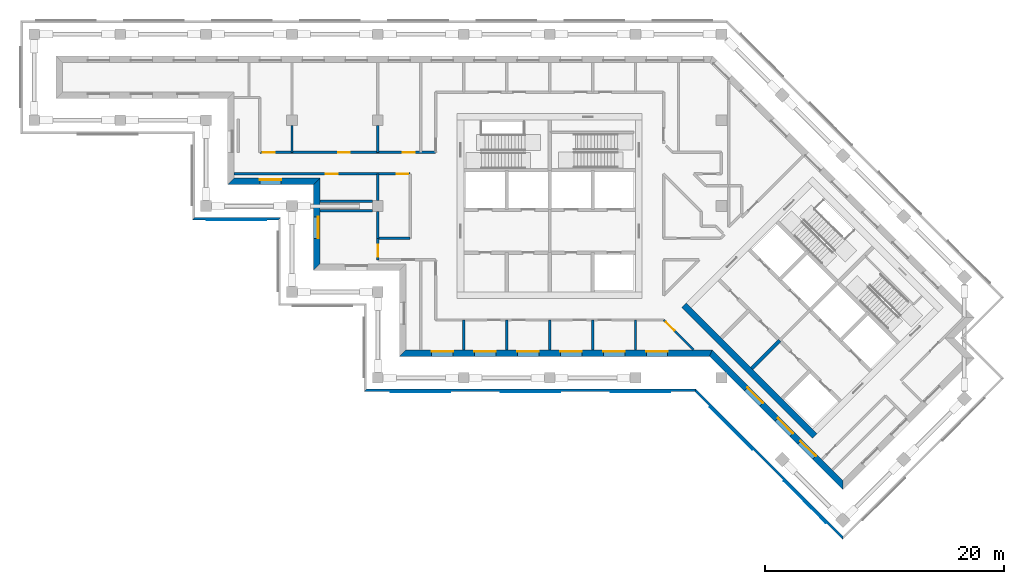
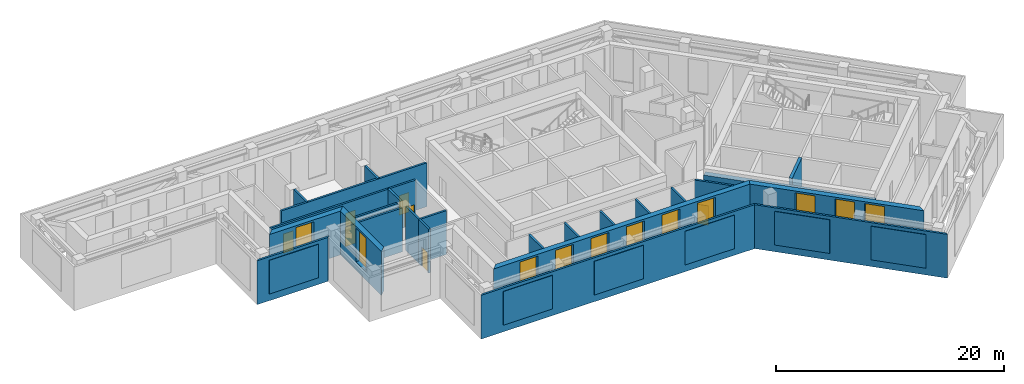
# One storey, part 3 of 10: 25 walls, 11 windows, 7 doors, 6 plates, 18 openings.
"""IFC4 building model written with IfcOpenShell, lengths in metres."""

from ifc_helpers import new_model, si_unit, direction, frame, frame_2d, origin, place, context, subcontext, project, spatial, polyline, rectangle, outline, extrude, material, layer, layer_set, type_object, element, fill, aggregate, save


model = new_model("IFC4")

# Units and contexts
model_context = context("Model", 3, precision=1e-05, world=origin(), true_north=direction((0.0, 1.0)))
body_context = subcontext(model_context, "Body", "Model", "MODEL_VIEW")
ifc_project = project(units=[si_unit("LENGTHUNIT", "METRE"), si_unit("AREAUNIT", "SQUARE_METRE"), si_unit("VOLUMEUNIT", "CUBIC_METRE"), si_unit("PLANEANGLEUNIT", "RADIAN"), si_unit("MASSUNIT", "GRAM", prefix="KILO")], contexts=[model_context])

# Plate
ifc_material_1 = material(Name="Aluminium louvre", Category="aluminium")
ifc_layer_1 = layer(ifc_material_1, 0.05)
ifc_layer_set_1 = layer_set([ifc_layer_1], Name="Belt louvre panel 5000x3600")
plate_type = type_object("IfcPlateType", Name="Belt louvre panel 5000x3600", PredefinedType="SHEET", material=ifc_layer_set_1)
site_placement = place(None, origin())
building_placement = place(site_placement, origin())
storey_placement = place(building_placement, frame((0.0, 0.0, 180.4)))
plate_1_placement = place(storey_placement, frame((36.05, 56.4, 0.75), z_axis=(0.0, -1.0, 0.0), x_axis=(1.0, 0.0, 0.0)))
plate_1 = element("IfcPlate", 1, at=plate_1_placement, type_object=plate_type, Name="Belt louvre panel L49 47.1", PredefinedType="SHEET", context=body_context, shape_type="SweptSolid", body=[
    extrude(outline(polyline([(0.0, 0.0), (5.0, 0.0), (5.0, 3.6), (0.0, 3.6), (0.0, 0.0)])), origin(), (0.0, 0.0, -1.0), 0.05),
])

plate_2_placement = place(storey_placement, frame((51.4613, 42.0, 0.75), z_axis=(0.0, -1.0, 0.0), x_axis=(1.0, 0.0, 0.0)))
plate_2 = element("IfcPlate", 2, at=plate_2_placement, type_object=plate_type, Name="Belt louvre panel L49 65.1", PredefinedType="SHEET", context=body_context, shape_type="SweptSolid", body=[
    extrude(outline(polyline([(0.0, 0.0), (5.0, 0.0), (5.0, 3.6), (0.0, 3.6), (0.0, 0.0)])), origin(), (0.0, 0.0, -1.0), 0.05),
])

plate_3_placement = place(storey_placement, frame((60.684, 42.0, 0.75), z_axis=(0.0, -1.0, 0.0), x_axis=(1.0, 0.0, 0.0)))
plate_3 = element("IfcPlate", 3, at=plate_3_placement, type_object=plate_type, Name="Belt louvre panel L49 66.2", PredefinedType="SHEET", context=body_context, shape_type="SweptSolid", body=[
    extrude(outline(polyline([(0.0, 0.0), (5.0, 0.0), (5.0, 3.6), (0.0, 3.6), (0.0, 0.0)])), origin(), (0.0, 0.0, -1.0), 0.05),
])

plate_4_placement = place(storey_placement, frame((69.9067, 42.0, 0.75), z_axis=(0.0, -1.0, 0.0), x_axis=(1.0, 0.0, 0.0)))
plate_4 = element("IfcPlate", 4, at=plate_4_placement, type_object=plate_type, Name="Belt louvre panel L49 67.3", PredefinedType="SHEET", context=body_context, shape_type="SweptSolid", body=[
    extrude(outline(polyline([(0.0, 0.0), (5.0, 0.0), (5.0, 3.6), (0.0, 3.6), (0.0, 0.0)])), origin(), (0.0, 0.0, -1.0), 0.05),
])

plate_5_placement = place(storey_placement, frame((78.2353, 40.7207, 0.75), z_axis=(-0.7071167811, -0.7070967812, 0.0), x_axis=(0.7070967812, -0.7071167811, 0.0)))
plate_5 = element("IfcPlate", 5, at=plate_5_placement, type_object=plate_type, Name="Belt louvre panel L49 72.1", PredefinedType="SHEET", context=body_context, shape_type="SweptSolid", body=[
    extrude(outline(polyline([(0.0, 0.0), (5.0, 0.0), (5.0, 3.6), (0.0, 3.6), (0.0, 0.0)])), origin(), (0.0, 0.0, -1.0), 0.05),
])

plate_6_placement = place(storey_placement, frame((84.4174, 34.5385, 0.75), z_axis=(-0.7070967812, -0.7071167811, 0.0), x_axis=(0.7071167811, -0.7070967812, 0.0)))
plate_6 = element("IfcPlate", 6, at=plate_6_placement, type_object=plate_type, Name="Belt louvre panel L49 73.2", PredefinedType="SHEET", context=body_context, shape_type="SweptSolid", body=[
    extrude(outline(polyline([(0.0, 0.0), (5.0, 0.0), (5.0, 3.6), (0.0, 3.6), (0.0, 0.0)])), origin(), (0.0, 0.0, -1.0), 0.05),
])

# Site, building, storey
site = spatial("IfcSite", under=ifc_project, at=site_placement, CompositionType="ELEMENT")
building = spatial("IfcBuilding", under=site, at=building_placement, Name="Windrow Commons", CompositionType="ELEMENT")
storey = spatial("IfcBuildingStorey", under=building, at=storey_placement, Name="L49", CompositionType="ELEMENT", Elevation=180.4)

# Wall
ifc_material_2 = material(Name="Concrete C40/50 precast screen panel", Category="concrete")
ifc_layer_2 = layer(ifc_material_2, 0.2)
ifc_layer_set_2 = layer_set([ifc_layer_2], Name="Belt screen wall 200")
wall_type_1 = type_object("IfcWallType", Name="Belt screen wall 200", PredefinedType="SOLIDWALL", material=ifc_layer_set_2)
wall_1_placement = place(storey_placement, frame((34.95, 56.55, 0.0), z_axis=(0.0, 0.0, 1.0), x_axis=(1.0, 0.0, 0.0)))
wall_1 = element("IfcWall", 7, at=wall_1_placement, inside=storey, type_object=wall_type_1, Name="Belt screen wall L49 47", PredefinedType="SOLIDWALL", context=body_context, shape_type="SweptSolid", body=[
    extrude(outline(polyline([(-0.1, -0.1), (7.1, -0.1), (7.3, 0.1), (0.1, 0.1), (-0.1, -0.1)])), origin(), (0.0, 0.0, 1.0), 4.7),
])

aggregate(wall_1, [plate_1])

wall_2_placement = place(storey_placement, frame((49.35, 42.15, 0.0), z_axis=(0.0, 0.0, 1.0), x_axis=(1.0, 0.0, 0.0)))
wall_2 = element("IfcWall", 8, at=wall_2_placement, inside=storey, type_object=wall_type_1, Name="Belt screen wall L49 65", PredefinedType="SOLIDWALL", context=body_context, shape_type="SweptSolid", body=[
    extrude(outline(polyline([(-0.1, -0.1), (27.6266, -0.1), (27.7095, 0.1), (0.1, 0.1), (-0.1, -0.1)])), origin(), (0.0, 0.0, 1.0), 4.7),
])

aggregate(wall_2, [plate_2, plate_3, plate_4])

wall_3_placement = place(storey_placement, frame((77.0181, 42.15, 0.0), z_axis=(0.0, 0.0, 1.0), x_axis=(0.7071039217, -0.7071096407, 0.0)))
wall_3 = element("IfcWall", 9, at=wall_3_placement, inside=storey, type_object=wall_type_1, Name="Belt screen wall L49 72", PredefinedType="SOLIDWALL", context=body_context, shape_type="SweptSolid", body=[
    extrude(outline(polyline([(0.0414, -0.1), (17.5857, -0.1), (17.3857, 0.1), (-0.0414, 0.1), (0.0414, -0.1)])), origin(), (0.0, 0.0, 1.0), 4.7),
])

aggregate(wall_3, [plate_5, plate_6])

# Wall, opening, window
ifc_material_3 = material(Name="Brick masonry, red clay brick", Category="masonry")
ifc_layer_3 = layer(ifc_material_3, 0.55)
ifc_layer_set_3 = layer_set([ifc_layer_3], Name="Brick facade wall 550")
wall_type_2 = type_object("IfcWallType", Name="Brick facade wall 550", PredefinedType="SOLIDWALL", material=ifc_layer_set_3)
wall_4_placement = place(storey_placement, frame((38.075, 59.675, 0.0), z_axis=(0.0, 0.0, 1.0), x_axis=(1.0, 0.0, 0.0)))
wall_4 = element("IfcWall", 10, at=wall_4_placement, inside=storey, type_object=wall_type_2, Name="Brick facade wall L49 8", PredefinedType="SOLIDWALL", context=body_context, shape_type="SweptSolid", body=[
    extrude(outline(polyline([(-0.275, -0.275), (6.925, -0.275), (7.475, 0.275), (0.275, 0.275), (-0.275, -0.275)])), origin(), (0.0, 0.0, 1.0), 4.7),
])
opening_1_placement = place(wall_4_placement, frame((2.425, 0.0, 0.9)))
opening_1 = element("IfcOpeningElement", 11, at=opening_1_placement, cuts=wall_4, Name="Opening LV2", PredefinedType="OPENING", context=body_context, shape_type="SweptSolid", body=[
    extrude(rectangle(XDim=1.8, YDim=3.6, at=frame_2d((0.9, 1.8))), frame((0.0, 0.285, 0.0), z_axis=(0.0, -1.0, 0.0), x_axis=(1.0, 0.0, 0.0)), (0.0, 0.0, 1.0), 0.57),
])
ifc_material_4 = material(Name="Aluminium 6063-T6 anodised louvre", Category="aluminium")
window_type = type_object("IfcWindowType", Name="Plant louvre 1800x3600", PartitioningType="SINGLE_PANEL", PredefinedType="WINDOW", material=ifc_material_4)
window_1_placement = place(opening_1_placement, origin())
window_1 = element("IfcWindow", 12, at=window_1_placement, inside=storey, type_object=window_type, Name="Louvre L49 8.1", OverallHeight=3.6, OverallWidth=1.8, PartitioningType="SINGLE_PANEL", PredefinedType="WINDOW", context=body_context, shape_type="SweptSolid", body=[
    extrude(rectangle(XDim=1.8, YDim=3.6, at=frame_2d((0.9, 1.8))), frame((0.0, 0.155, 0.0), z_axis=(0.0, -1.0, 0.0), x_axis=(1.0, 0.0, 0.0)), (0.0, 0.0, 1.0), 0.06),
])
fill(opening_1, window_1)

wall_5_placement = place(storey_placement, frame((45.275, 59.675, 0.0), z_axis=(0.0, 0.0, 1.0), x_axis=(0.0, -1.0, 0.0)))
wall_5 = element("IfcWall", 13, at=wall_5_placement, inside=storey, type_object=wall_type_2, Name="Brick facade wall L49 9", PredefinedType="SOLIDWALL", context=body_context, shape_type="SweptSolid", body=[
    extrude(outline(polyline([(0.275, -0.275), (7.475, -0.275), (6.925, 0.275), (-0.275, 0.275), (0.275, -0.275)])), origin(), (0.0, 0.0, 1.0), 4.7),
])
opening_2_placement = place(wall_5_placement, frame((2.975, 0.0, 0.9)))
opening_2 = element("IfcOpeningElement", 14, at=opening_2_placement, cuts=wall_5, Name="Opening LV2", PredefinedType="OPENING", context=body_context, shape_type="SweptSolid", body=[
    extrude(rectangle(XDim=1.8, YDim=3.6, at=frame_2d((0.9, 1.8))), frame((0.0, 0.285, 0.0), z_axis=(0.0, -1.0, 0.0), x_axis=(1.0, 0.0, 0.0)), (0.0, 0.0, 1.0), 0.57),
])
window_2_placement = place(opening_2_placement, origin())
window_2 = element("IfcWindow", 15, at=window_2_placement, inside=storey, type_object=window_type, Name="Louvre L49 9.1", OverallHeight=3.6, OverallWidth=1.8, PartitioningType="SINGLE_PANEL", PredefinedType="WINDOW", context=body_context, shape_type="SweptSolid", body=[
    extrude(rectangle(XDim=1.8, YDim=3.6, at=frame_2d((0.9, 1.8))), frame((0.0, 0.155, 0.0), z_axis=(0.0, -1.0, 0.0), x_axis=(1.0, 0.0, 0.0)), (0.0, 0.0, 1.0), 0.06),
])
fill(opening_2, window_2)

# Wall, openings, windows
wall_6_placement = place(storey_placement, frame((52.475, 45.275, 0.0), z_axis=(0.0, 0.0, 1.0), x_axis=(1.0, 0.0, 0.0)))
wall_6 = element("IfcWall", 16, at=wall_6_placement, inside=storey, type_object=wall_type_2, Name="Brick facade wall L49 12", PredefinedType="SOLIDWALL", context=body_context, shape_type="SweptSolid", body=[
    extrude(outline(polyline([(-0.275, -0.275), (25.7236, -0.275), (25.9514, 0.275), (0.275, 0.275), (-0.275, -0.275)])), origin(), (0.0, 0.0, 1.0), 4.7),
])
opening_3_placement = place(wall_6_placement, frame((2.425, 0.0, 0.9)))
opening_3 = element("IfcOpeningElement", 17, at=opening_3_placement, cuts=wall_6, Name="Opening LV2", PredefinedType="OPENING", context=body_context, shape_type="SweptSolid", body=[
    extrude(rectangle(XDim=1.8, YDim=3.6, at=frame_2d((0.9, 1.8))), frame((0.0, 0.285, 0.0), z_axis=(0.0, -1.0, 0.0), x_axis=(1.0, 0.0, 0.0)), (0.0, 0.0, 1.0), 0.57),
])
opening_4_placement = place(wall_6_placement, frame((6.025, 0.0, 0.9)))
opening_4 = element("IfcOpeningElement", 18, at=opening_4_placement, cuts=wall_6, Name="Opening LV2", PredefinedType="OPENING", context=body_context, shape_type="SweptSolid", body=[
    extrude(rectangle(XDim=1.8, YDim=3.6, at=frame_2d((0.9, 1.8))), frame((0.0, 0.285, 0.0), z_axis=(0.0, -1.0, 0.0), x_axis=(1.0, 0.0, 0.0)), (0.0, 0.0, 1.0), 0.57),
])
opening_5_placement = place(wall_6_placement, frame((9.625, 0.0, 0.9)))
opening_5 = element("IfcOpeningElement", 19, at=opening_5_placement, cuts=wall_6, Name="Opening LV2", PredefinedType="OPENING", context=body_context, shape_type="SweptSolid", body=[
    extrude(rectangle(XDim=1.8, YDim=3.6, at=frame_2d((0.9, 1.8))), frame((0.0, 0.285, 0.0), z_axis=(0.0, -1.0, 0.0), x_axis=(1.0, 0.0, 0.0)), (0.0, 0.0, 1.0), 0.57),
])
opening_6_placement = place(wall_6_placement, frame((13.225, 0.0, 0.9)))
opening_6 = element("IfcOpeningElement", 20, at=opening_6_placement, cuts=wall_6, Name="Opening LV2", PredefinedType="OPENING", context=body_context, shape_type="SweptSolid", body=[
    extrude(rectangle(XDim=1.8, YDim=3.6, at=frame_2d((0.9, 1.8))), frame((0.0, 0.285, 0.0), z_axis=(0.0, -1.0, 0.0), x_axis=(1.0, 0.0, 0.0)), (0.0, 0.0, 1.0), 0.57),
])
opening_7_placement = place(wall_6_placement, frame((16.825, 0.0, 0.9)))
opening_7 = element("IfcOpeningElement", 21, at=opening_7_placement, cuts=wall_6, Name="Opening LV2", PredefinedType="OPENING", context=body_context, shape_type="SweptSolid", body=[
    extrude(rectangle(XDim=1.8, YDim=3.6, at=frame_2d((0.9, 1.8))), frame((0.0, 0.285, 0.0), z_axis=(0.0, -1.0, 0.0), x_axis=(1.0, 0.0, 0.0)), (0.0, 0.0, 1.0), 0.57),
])
opening_8_placement = place(wall_6_placement, frame((20.425, 0.0, 0.9)))
opening_8 = element("IfcOpeningElement", 22, at=opening_8_placement, cuts=wall_6, Name="Opening LV2", PredefinedType="OPENING", context=body_context, shape_type="SweptSolid", body=[
    extrude(rectangle(XDim=1.8, YDim=3.6, at=frame_2d((0.9, 1.8))), frame((0.0, 0.285, 0.0), z_axis=(0.0, -1.0, 0.0), x_axis=(1.0, 0.0, 0.0)), (0.0, 0.0, 1.0), 0.57),
])
window_3_placement = place(opening_3_placement, origin())
window_3 = element("IfcWindow", 23, at=window_3_placement, inside=storey, type_object=window_type, Name="Louvre L49 12.1", OverallHeight=3.6, OverallWidth=1.8, PartitioningType="SINGLE_PANEL", PredefinedType="WINDOW", context=body_context, shape_type="SweptSolid", body=[
    extrude(rectangle(XDim=1.8, YDim=3.6, at=frame_2d((0.9, 1.8))), frame((0.0, 0.155, 0.0), z_axis=(0.0, -1.0, 0.0), x_axis=(1.0, 0.0, 0.0)), (0.0, 0.0, 1.0), 0.06),
])
fill(opening_3, window_3)
window_4_placement = place(opening_4_placement, origin())
window_4 = element("IfcWindow", 24, at=window_4_placement, inside=storey, type_object=window_type, Name="Louvre L49 12.2", OverallHeight=3.6, OverallWidth=1.8, PartitioningType="SINGLE_PANEL", PredefinedType="WINDOW", context=body_context, shape_type="SweptSolid", body=[
    extrude(rectangle(XDim=1.8, YDim=3.6, at=frame_2d((0.9, 1.8))), frame((0.0, 0.155, 0.0), z_axis=(0.0, -1.0, 0.0), x_axis=(1.0, 0.0, 0.0)), (0.0, 0.0, 1.0), 0.06),
])
fill(opening_4, window_4)
window_5_placement = place(opening_5_placement, origin())
window_5 = element("IfcWindow", 25, at=window_5_placement, inside=storey, type_object=window_type, Name="Louvre L49 12.3", OverallHeight=3.6, OverallWidth=1.8, PartitioningType="SINGLE_PANEL", PredefinedType="WINDOW", context=body_context, shape_type="SweptSolid", body=[
    extrude(rectangle(XDim=1.8, YDim=3.6, at=frame_2d((0.9, 1.8))), frame((0.0, 0.155, 0.0), z_axis=(0.0, -1.0, 0.0), x_axis=(1.0, 0.0, 0.0)), (0.0, 0.0, 1.0), 0.06),
])
fill(opening_5, window_5)
window_6_placement = place(opening_6_placement, origin())
window_6 = element("IfcWindow", 26, at=window_6_placement, inside=storey, type_object=window_type, Name="Louvre L49 12.4", OverallHeight=3.6, OverallWidth=1.8, PartitioningType="SINGLE_PANEL", PredefinedType="WINDOW", context=body_context, shape_type="SweptSolid", body=[
    extrude(rectangle(XDim=1.8, YDim=3.6, at=frame_2d((0.9, 1.8))), frame((0.0, 0.155, 0.0), z_axis=(0.0, -1.0, 0.0), x_axis=(1.0, 0.0, 0.0)), (0.0, 0.0, 1.0), 0.06),
])
fill(opening_6, window_6)
window_7_placement = place(opening_7_placement, origin())
window_7 = element("IfcWindow", 27, at=window_7_placement, inside=storey, type_object=window_type, Name="Louvre L49 12.5", OverallHeight=3.6, OverallWidth=1.8, PartitioningType="SINGLE_PANEL", PredefinedType="WINDOW", context=body_context, shape_type="SweptSolid", body=[
    extrude(rectangle(XDim=1.8, YDim=3.6, at=frame_2d((0.9, 1.8))), frame((0.0, 0.155, 0.0), z_axis=(0.0, -1.0, 0.0), x_axis=(1.0, 0.0, 0.0)), (0.0, 0.0, 1.0), 0.06),
])
fill(opening_7, window_7)
window_8_placement = place(opening_8_placement, origin())
window_8 = element("IfcWindow", 28, at=window_8_placement, inside=storey, type_object=window_type, Name="Louvre L49 12.6", OverallHeight=3.6, OverallWidth=1.8, PartitioningType="SINGLE_PANEL", PredefinedType="WINDOW", context=body_context, shape_type="SweptSolid", body=[
    extrude(rectangle(XDim=1.8, YDim=3.6, at=frame_2d((0.9, 1.8))), frame((0.0, 0.155, 0.0), z_axis=(0.0, -1.0, 0.0), x_axis=(1.0, 0.0, 0.0)), (0.0, 0.0, 1.0), 0.06),
])
fill(opening_8, window_8)

wall_7_placement = place(storey_placement, frame((78.3125, 45.275, 0.0), z_axis=(0.0, 0.0, 1.0), x_axis=(0.7071035873, -0.707109975, 0.0)))
wall_7 = element("IfcWall", 29, at=wall_7_placement, inside=storey, type_object=wall_type_2, Name="Brick facade wall L49 13", PredefinedType="SOLIDWALL", context=body_context, shape_type="SweptSolid", body=[
    extrude(outline(polyline([(0.1139, -0.275), (15.9301, -0.275), (15.3801, 0.275), (-0.1139, 0.275), (0.1139, -0.275)])), origin(), (0.0, 0.0, 1.0), 4.7),
])
opening_9_placement = place(wall_7_placement, frame((4.2301, 0.0, 0.9)))
opening_9 = element("IfcOpeningElement", 30, at=opening_9_placement, cuts=wall_7, Name="Opening LV2", PredefinedType="OPENING", context=body_context, shape_type="SweptSolid", body=[
    extrude(rectangle(XDim=1.8, YDim=3.6, at=frame_2d((0.9, 1.8))), frame((0.0, 0.285, 0.0), z_axis=(0.0, -1.0, 0.0), x_axis=(1.0, 0.0, 0.0)), (0.0, 0.0, 1.0), 0.57),
])
opening_10_placement = place(wall_7_placement, frame((7.8301, 0.0, 0.9)))
opening_10 = element("IfcOpeningElement", 31, at=opening_10_placement, cuts=wall_7, Name="Opening LV2", PredefinedType="OPENING", context=body_context, shape_type="SweptSolid", body=[
    extrude(rectangle(XDim=1.8, YDim=3.6, at=frame_2d((0.9, 1.8))), frame((0.0, 0.285, 0.0), z_axis=(0.0, -1.0, 0.0), x_axis=(1.0, 0.0, 0.0)), (0.0, 0.0, 1.0), 0.57),
])
opening_11_placement = place(wall_7_placement, frame((10.5301, 0.0, 0.9)))
opening_11 = element("IfcOpeningElement", 32, at=opening_11_placement, cuts=wall_7, Name="Opening LV2", PredefinedType="OPENING", context=body_context, shape_type="SweptSolid", body=[
    extrude(rectangle(XDim=1.8, YDim=3.6, at=frame_2d((0.9, 1.8))), frame((0.0, 0.285, 0.0), z_axis=(0.0, -1.0, 0.0), x_axis=(1.0, 0.0, 0.0)), (0.0, 0.0, 1.0), 0.57),
])
window_9_placement = place(opening_9_placement, origin())
window_9 = element("IfcWindow", 33, at=window_9_placement, inside=storey, type_object=window_type, Name="Louvre L49 13.1", OverallHeight=3.6, OverallWidth=1.8, PartitioningType="SINGLE_PANEL", PredefinedType="WINDOW", context=body_context, shape_type="SweptSolid", body=[
    extrude(rectangle(XDim=1.8, YDim=3.6, at=frame_2d((0.9, 1.8))), frame((0.0, 0.155, 0.0), z_axis=(0.0, -1.0, 0.0), x_axis=(1.0, 0.0, 0.0)), (0.0, 0.0, 1.0), 0.06),
])
fill(opening_9, window_9)
window_10_placement = place(opening_10_placement, origin())
window_10 = element("IfcWindow", 34, at=window_10_placement, inside=storey, type_object=window_type, Name="Louvre L49 13.2", OverallHeight=3.6, OverallWidth=1.8, PartitioningType="SINGLE_PANEL", PredefinedType="WINDOW", context=body_context, shape_type="SweptSolid", body=[
    extrude(rectangle(XDim=1.8, YDim=3.6, at=frame_2d((0.9, 1.8))), frame((0.0, 0.155, 0.0), z_axis=(0.0, -1.0, 0.0), x_axis=(1.0, 0.0, 0.0)), (0.0, 0.0, 1.0), 0.06),
])
fill(opening_10, window_10)
window_11_placement = place(opening_11_placement, origin())
window_11 = element("IfcWindow", 35, at=window_11_placement, inside=storey, type_object=window_type, Name="Louvre L49 13.3", OverallHeight=3.6, OverallWidth=1.8, PartitioningType="SINGLE_PANEL", PredefinedType="WINDOW", context=body_context, shape_type="SweptSolid", body=[
    extrude(rectangle(XDim=1.8, YDim=3.6, at=frame_2d((0.9, 1.8))), frame((0.0, 0.155, 0.0), z_axis=(0.0, -1.0, 0.0), x_axis=(1.0, 0.0, 0.0)), (0.0, 0.0, 1.0), 0.06),
])
fill(opening_11, window_11)

# Wall, openings, doors
ifc_material_5 = material(Name="Blockwork partition", Category="masonry")
ifc_layer_4 = layer(ifc_material_5, 0.2)
ifc_layer_set_4 = layer_set([ifc_layer_4], Name="IW-CORRIDOR-200")
wall_type_3 = type_object("IfcWallType", Name="IW-CORRIDOR-200", PredefinedType="PARTITIONING", material=ifc_layer_set_4)
wall_8_placement = place(storey_placement, frame((40.502, 62.1, 0.0), z_axis=(0.0, 0.0, 1.0), x_axis=(1.0, 0.0, 0.0)))
wall_8 = element("IfcWall", 36, at=wall_8_placement, inside=storey, type_object=wall_type_3, Name="W-L49-W002", PredefinedType="PARTITIONING", context=body_context, shape_type="SweptSolid", body=[
    extrude(rectangle(XDim=14.748, YDim=0.2, at=frame_2d((7.374, 0.0))), origin(), (0.0, 0.0, 1.0), 4.7),
])
opening_12_placement = place(wall_8_placement, frame((0.2647, 0.0, 0.0)))
opening_12 = element("IfcOpeningElement", 37, at=opening_12_placement, cuts=wall_8, Name="Opening D410F", PredefinedType="OPENING", context=body_context, shape_type="SweptSolid", body=[
    extrude(rectangle(XDim=1.0, YDim=2.1, at=frame_2d((0.5, 1.05))), frame((0.0, 0.11, 0.0), z_axis=(0.0, -1.0, 0.0), x_axis=(1.0, 0.0, 0.0)), (0.0, 0.0, 1.0), 0.22),
])
opening_13_placement = place(wall_8_placement, frame((6.5605, 0.0, 0.0)))
opening_13 = element("IfcOpeningElement", 38, at=opening_13_placement, cuts=wall_8, Name="Opening D410F", PredefinedType="OPENING", context=body_context, shape_type="SweptSolid", body=[
    extrude(rectangle(XDim=1.0, YDim=2.1, at=frame_2d((0.5, 1.05))), frame((0.0, 0.11, 0.0), z_axis=(0.0, -1.0, 0.0), x_axis=(1.0, 0.0, 0.0)), (0.0, 0.0, 1.0), 0.22),
])
opening_14_placement = place(wall_8_placement, frame((11.9905, 0.0, 0.0)))
opening_14 = element("IfcOpeningElement", 39, at=opening_14_placement, cuts=wall_8, Name="Opening D410F", PredefinedType="OPENING", context=body_context, shape_type="SweptSolid", body=[
    extrude(rectangle(XDim=1.0, YDim=2.1, at=frame_2d((0.5, 1.05))), frame((0.0, 0.11, 0.0), z_axis=(0.0, -1.0, 0.0), x_axis=(1.0, 0.0, 0.0)), (0.0, 0.0, 1.0), 0.22),
])
ifc_material_6 = material(Name="Timber door leaf", Category="wood")
door_type = type_object("IfcDoorType", Name="DT-SERVICE-1000", OperationType="SINGLE_SWING_LEFT", PredefinedType="DOOR", material=ifc_material_6)
door_1_placement = place(opening_12_placement, origin())
door_1 = element("IfcDoor", 40, at=door_1_placement, inside=storey, type_object=door_type, Name="D-L49-D015", OperationType="SINGLE_SWING_LEFT", OverallHeight=2.1, OverallWidth=1.0, PredefinedType="DOOR", context=body_context, shape_type="SweptSolid", body=[
    extrude(rectangle(XDim=1.0, YDim=2.1, at=frame_2d((0.5, 1.05))), frame((0.0, 0.025, 0.0), z_axis=(0.0, -1.0, 0.0), x_axis=(1.0, 0.0, 0.0)), (0.0, 0.0, 1.0), 0.05),
])
fill(opening_12, door_1)
door_2_placement = place(opening_13_placement, origin())
door_2 = element("IfcDoor", 41, at=door_2_placement, inside=storey, type_object=door_type, Name="D-L49-D016", OperationType="SINGLE_SWING_RIGHT", OverallHeight=2.1, OverallWidth=1.0, PredefinedType="DOOR", context=body_context, shape_type="SweptSolid", body=[
    extrude(rectangle(XDim=1.0, YDim=2.1, at=frame_2d((0.5, 1.05))), frame((0.0, 0.025, 0.0), z_axis=(0.0, -1.0, 0.0), x_axis=(1.0, 0.0, 0.0)), (0.0, 0.0, 1.0), 0.05),
])
fill(opening_13, door_2)
door_3_placement = place(opening_14_placement, origin())
door_3 = element("IfcDoor", 42, at=door_3_placement, inside=storey, type_object=door_type, Name="D-L49-D017", OperationType="SINGLE_SWING_RIGHT", OverallHeight=2.1, OverallWidth=1.0, PredefinedType="DOOR", context=body_context, shape_type="SweptSolid", body=[
    extrude(rectangle(XDim=1.0, YDim=2.1, at=frame_2d((0.5, 1.05))), frame((0.0, 0.025, 0.0), z_axis=(0.0, -1.0, 0.0), x_axis=(1.0, 0.0, 0.0)), (0.0, 0.0, 1.0), 0.05),
])
fill(opening_14, door_3)

wall_9_placement = place(storey_placement, frame((38.35, 60.3, 0.0), z_axis=(0.0, 0.0, 1.0), x_axis=(1.0, 0.0, 0.0)))
wall_9 = element("IfcWall", 43, at=wall_9_placement, inside=storey, type_object=wall_type_3, Name="W-L49-W003", PredefinedType="PARTITIONING", context=body_context, shape_type="SweptSolid", body=[
    extrude(rectangle(XDim=14.75, YDim=0.2, at=frame_2d((7.375, 0.0))), origin(), (0.0, 0.0, 1.0), 4.7),
])
opening_15_placement = place(wall_9_placement, frame((7.6667, 0.0, 0.0)))
opening_15 = element("IfcOpeningElement", 44, at=opening_15_placement, cuts=wall_9, Name="Opening D410F", PredefinedType="OPENING", context=body_context, shape_type="SweptSolid", body=[
    extrude(rectangle(XDim=1.0, YDim=2.1, at=frame_2d((0.5, 1.05))), frame((0.0, 0.11, 0.0), z_axis=(0.0, -1.0, 0.0), x_axis=(1.0, 0.0, 0.0)), (0.0, 0.0, 1.0), 0.22),
])
opening_16_placement = place(wall_9_placement, frame((13.6133, 0.0, 0.0)))
opening_16 = element("IfcOpeningElement", 45, at=opening_16_placement, cuts=wall_9, Name="Opening D410F", PredefinedType="OPENING", context=body_context, shape_type="SweptSolid", body=[
    extrude(rectangle(XDim=1.0, YDim=2.1, at=frame_2d((0.5, 1.05))), frame((0.0, 0.11, 0.0), z_axis=(0.0, -1.0, 0.0), x_axis=(1.0, 0.0, 0.0)), (0.0, 0.0, 1.0), 0.22),
])
door_4_placement = place(opening_15_placement, origin())
door_4 = element("IfcDoor", 46, at=door_4_placement, inside=storey, type_object=door_type, Name="D-L49-D000", OperationType="SINGLE_SWING_RIGHT", OverallHeight=2.1, OverallWidth=1.0, PredefinedType="DOOR", context=body_context, shape_type="SweptSolid", body=[
    extrude(rectangle(XDim=1.0, YDim=2.1, at=frame_2d((0.5, 1.05))), frame((0.0, 0.025, 0.0), z_axis=(0.0, -1.0, 0.0), x_axis=(1.0, 0.0, 0.0)), (0.0, 0.0, 1.0), 0.05),
])
fill(opening_15, door_4)
door_5_placement = place(opening_16_placement, origin())
door_5 = element("IfcDoor", 47, at=door_5_placement, inside=storey, type_object=door_type, Name="D-L49-D002", OperationType="SINGLE_SWING_LEFT", OverallHeight=2.1, OverallWidth=1.0, PredefinedType="DOOR", context=body_context, shape_type="SweptSolid", body=[
    extrude(rectangle(XDim=1.0, YDim=2.1, at=frame_2d((0.5, 1.05))), frame((0.0, 0.025, 0.0), z_axis=(0.0, -1.0, 0.0), x_axis=(1.0, 0.0, 0.0)), (0.0, 0.0, 1.0), 0.05),
])
fill(opening_16, door_5)

# Wall, opening, door
wall_10_placement = place(storey_placement, frame((76.8643, 45.55, 0.0), z_axis=(0.0, 0.0, 1.0), x_axis=(-0.7069226259, 0.7072908885, 0.0)))
wall_10 = element("IfcWall", 48, at=wall_10_placement, inside=storey, type_object=wall_type_3, Name="W-L49-W027", PredefinedType="PARTITIONING", context=body_context, shape_type="SweptSolid", body=[
    extrude(rectangle(XDim=3.5301, YDim=0.2, at=frame_2d((1.7651, 0.0))), origin(), (0.0, 0.0, 1.0), 4.7),
])
opening_17_placement = place(wall_10_placement, frame((2.2849, 0.0, 0.0)))
opening_17 = element("IfcOpeningElement", 49, at=opening_17_placement, cuts=wall_10, Name="Opening D410F", PredefinedType="OPENING", context=body_context, shape_type="SweptSolid", body=[
    extrude(rectangle(XDim=1.0, YDim=2.1, at=frame_2d((0.5, 1.05))), frame((0.0, 0.11, 0.0), z_axis=(0.0, -1.0, 0.0), x_axis=(1.0, 0.0, 0.0)), (0.0, 0.0, 1.0), 0.22),
])
door_6_placement = place(opening_17_placement, origin())
door_6 = element("IfcDoor", 50, at=door_6_placement, inside=storey, type_object=door_type, Name="D-L49-D010", OperationType="SINGLE_SWING_LEFT", OverallHeight=2.1, OverallWidth=1.0, PredefinedType="DOOR", context=body_context, shape_type="SweptSolid", body=[
    extrude(rectangle(XDim=1.0, YDim=2.1, at=frame_2d((0.5, 1.05))), frame((0.0, 0.025, 0.0), z_axis=(0.0, -1.0, 0.0), x_axis=(1.0, 0.0, 0.0)), (0.0, 0.0, 1.0), 0.05),
])
fill(opening_17, door_6)

# Wall
wall_11_placement = place(storey_placement, frame((50.4, 54.9, 0.0), z_axis=(0.0, 0.0, 1.0), x_axis=(1.0, 0.0, 0.0)))
element("IfcWall", 51, at=wall_11_placement, inside=storey, type_object=wall_type_3, Name="W-L49-W033", PredefinedType="PARTITIONING", context=body_context, shape_type="SweptSolid", body=[
    extrude(rectangle(XDim=2.7, YDim=0.2, at=frame_2d((1.35, 0.0))), origin(), (0.0, 0.0, 1.0), 4.7),
])

# Wall, opening, door
wall_12_placement = place(storey_placement, frame((50.4, 53.1, 0.0), z_axis=(0.0, 0.0, 1.0), x_axis=(0.0, 1.0, 0.0)))
wall_12 = element("IfcWall", 52, at=wall_12_placement, inside=storey, type_object=wall_type_3, Name="W-L49-W054", PredefinedType="PARTITIONING", context=body_context, shape_type="SweptSolid", body=[
    extrude(rectangle(XDim=1.8, YDim=0.2, at=frame_2d((0.9, 0.0))), origin(), (0.0, 0.0, 1.0), 4.7),
])
opening_18_placement = place(wall_12_placement, frame((0.24, 0.0, 0.0)))
opening_18 = element("IfcOpeningElement", 53, at=opening_18_placement, cuts=wall_12, Name="Opening D410F", PredefinedType="OPENING", context=body_context, shape_type="SweptSolid", body=[
    extrude(rectangle(XDim=1.0, YDim=2.1, at=frame_2d((0.5, 1.05))), frame((0.0, 0.11, 0.0), z_axis=(0.0, -1.0, 0.0), x_axis=(1.0, 0.0, 0.0)), (0.0, 0.0, 1.0), 0.22),
])
door_7_placement = place(opening_18_placement, origin())
door_7 = element("IfcDoor", 54, at=door_7_placement, inside=storey, type_object=door_type, Name="D-L49-D001", OperationType="SINGLE_SWING_LEFT", OverallHeight=2.1, OverallWidth=1.0, PredefinedType="DOOR", context=body_context, shape_type="SweptSolid", body=[
    extrude(rectangle(XDim=1.0, YDim=2.1, at=frame_2d((0.5, 1.05))), frame((0.0, 0.025, 0.0), z_axis=(0.0, -1.0, 0.0), x_axis=(1.0, 0.0, 0.0)), (0.0, 0.0, 1.0), 0.05),
])
fill(opening_18, door_7)

# Walls
ifc_material_7 = material(Name="Blockwork partition", Category="masonry")
ifc_layer_5 = layer(ifc_material_7, 0.2)
ifc_layer_set_5 = layer_set([ifc_layer_5], Name="IW-PARTY-200")
wall_type_4 = type_object("IfcWallType", Name="IW-PARTY-200", PredefinedType="PARTITIONING", material=ifc_layer_set_5)
for number, where, z_axis, x_axis, name in (
    (55, (45.55, 57.2, 0.0), (0.0, 0.0, 1.0), (1.0, 0.0, 0.0), "W-L49-W020"),
    (56, (45.55, 58.0, 0.0), (0.0, 0.0, 1.0), (1.0, 0.0, 0.0), "W-L49-W021"),
):
    element("IfcWall", number, at=place(storey_placement, frame(where, z_axis=z_axis, x_axis=x_axis)), inside=storey, type_object=wall_type_4, Name=name, PredefinedType="PARTITIONING", context=body_context, shape_type="SweptSolid", body=[
        extrude(rectangle(XDim=4.4, YDim=0.2, at=frame_2d((2.2, 0.0))), origin(), (0.0, 0.0, 1.0), 4.7),
    ])
for number, where, z_axis, x_axis, name in (
    (57, (57.6, 45.55, 0.0), (0.0, 0.0, 1.0), (0.0, 1.0, 0.0), "W-L49-W034"),
    (58, (61.2, 45.55, 0.0), (0.0, 0.0, 1.0), (0.0, 1.0, 0.0), "W-L49-W035"),
    (59, (64.8, 45.55, 0.0), (0.0, 0.0, 1.0), (0.0, 1.0, 0.0), "W-L49-W036"),
    (60, (68.4, 45.55, 0.0), (0.0, 0.0, 1.0), (0.0, 1.0, 0.0), "W-L49-W037"),
    (61, (72.0, 45.55, 0.0), (0.0, 0.0, 1.0), (0.0, 1.0, 0.0), "W-L49-W038"),
):
    element("IfcWall", number, at=place(storey_placement, frame(where, z_axis=z_axis, x_axis=x_axis)), inside=storey, type_object=wall_type_4, Name=name, PredefinedType="PARTITIONING", context=body_context, shape_type="SweptSolid", body=[
        extrude(rectangle(XDim=2.5, YDim=0.2, at=frame_2d((1.25, 0.0))), origin(), (0.0, 0.0, 1.0), 4.7),
    ])
for number, where, z_axis, x_axis, name in (
    (62, (50.4, 54.9, 0.0), (0.0, 0.0, 1.0), (0.0, 1.0, 0.0), "W-L49-W047"),
    (63, (50.4, 58.05, 0.0), (0.0, 0.0, 1.0), (0.0, 1.0, 0.0), "W-L49-W048"),
    (64, (43.2, 62.1, 0.0), (0.0, 0.0, 1.0), (0.0, 1.0, 0.0), "W-L49-W049"),
    (65, (50.4, 62.1, 0.0), (0.0, 0.0, 1.0), (0.0, 1.0, 0.0), "W-L49-W050"),
):
    element("IfcWall", number, at=place(storey_placement, frame(where, z_axis=z_axis, x_axis=x_axis)), inside=storey, type_object=wall_type_4, Name=name, PredefinedType="PARTITIONING", context=body_context, shape_type="SweptSolid", body=[
        extrude(rectangle(XDim=2.25, YDim=0.2, at=frame_2d((1.125, 0.0))), origin(), (0.0, 0.0, 1.0), 4.7),
    ])
ifc_material_8 = material(Name="Concrete C50/60", Category="concrete")
ifc_layer_6 = layer(ifc_material_8, 0.55)
ifc_layer_set_6 = layer_set([ifc_layer_6], Name="RC CORE WALL 550 C50/60")
wall_type_5 = type_object("IfcWallType", Name="RC CORE WALL 550 C50/60", PredefinedType="SHEAR", material=ifc_layer_set_6)
wall_13_placement = place(storey_placement, frame((76.0711, 49.2842, -0.3), z_axis=(0.0, 0.0, 1.0), x_axis=(0.7071035554, -0.707110007, 0.0)))
element("IfcWall", 66, at=wall_13_placement, inside=storey, type_object=wall_type_5, Name="Core B wall outer-S", PredefinedType="SHEAR", context=body_context, shape_type="SweptSolid", body=[
    extrude(rectangle(XDim=15.5, YDim=0.55, at=frame_2d((7.75, 0.0))), origin(), (0.0, 0.0, 1.0), 4.3),
])
ifc_material_9 = material(Name="Concrete C50/60", Category="concrete")
ifc_layer_7 = layer(ifc_material_9, 0.3)
ifc_layer_set_7 = layer_set([ifc_layer_7], Name="RC SHAFT WALL 300 C50/60")
wall_type_6 = type_object("IfcWallType", Name="RC SHAFT WALL 300 C50/60", PredefinedType="SOLIDWALL", material=ifc_layer_set_7)
wall_14_placement = place(storey_placement, frame((81.7456, 43.9986, 0.0), z_axis=(0.0, 0.0, 1.0), x_axis=(0.7071067812, 0.7071067812, 0.0)))
element("IfcWall", 67, at=wall_14_placement, inside=storey, type_object=wall_type_6, Name="Core B wall shaft-S2", PredefinedType="SOLIDWALL", context=body_context, shape_type="SweptSolid", body=[
    extrude(rectangle(XDim=3.2999, YDim=0.3, at=frame_2d((1.65, 0.0))), origin(), (0.0, 0.0, 1.0), 4.7),
])

save(model, "model.ifc")
